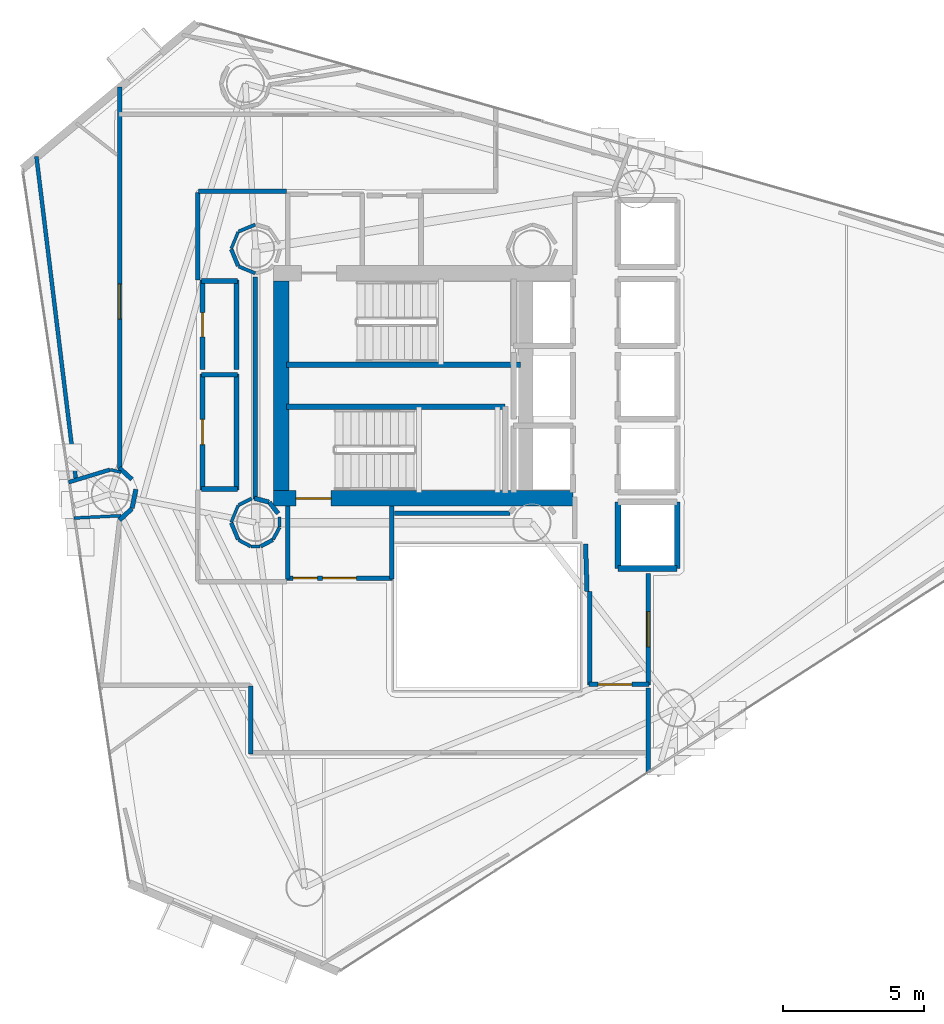
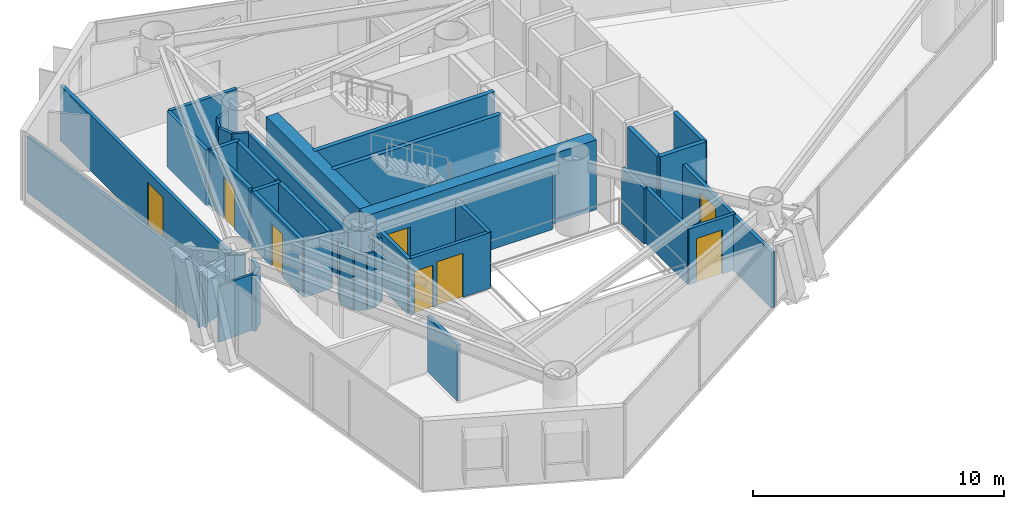
# One storey, part 18 of 22: 49 walls, 8 doors, 8 openings.
"""IFC4 building model written with IfcOpenShell, lengths in metres."""

from ifc_helpers import new_model, si_unit, direction, frame, frame_2d, origin, place, context, subcontext, project, spatial, rectangle, extrude, material, layer, layer_set, type_object, element, fill, save


model = new_model("IFC4")

# Units and contexts
model_context = context("Model", 3, precision=1e-05, world=origin(), true_north=direction((0.0, 1.0)))
body_context = subcontext(model_context, "Body", "Model", "MODEL_VIEW")
ifc_project = project(units=[si_unit("LENGTHUNIT", "METRE"), si_unit("AREAUNIT", "SQUARE_METRE"), si_unit("VOLUMEUNIT", "CUBIC_METRE"), si_unit("PLANEANGLEUNIT", "RADIAN"), si_unit("MASSUNIT", "GRAM", prefix="KILO")], contexts=[model_context])

# Site, building, storey
site_placement = place(None, origin())
site = spatial("IfcSite", under=ifc_project, at=site_placement, CompositionType="ELEMENT")
building_placement = place(site_placement, origin())
building = spatial("IfcBuilding", under=site, at=building_placement, Name="Qianvela Tower", CompositionType="ELEMENT")
storey_placement = place(building_placement, frame((0.0, 0.0, 180.89990234375)))
storey = spatial("IfcBuildingStorey", under=building, at=storey_placement, Name="L46", CompositionType="ELEMENT", Elevation=180.89990234375)

# Wall, opening, door
ifc_material_1 = material(Name="Concrete C60", Category="concrete")
ifc_layer_1 = layer(ifc_material_1, 0.550048828125)
ifc_layer_set_1 = layer_set([ifc_layer_1], Name="Concrete C60")
wall_type_1 = type_object("IfcWallType", Name="WT-CORE-550", PredefinedType="SHEAR", material=ifc_layer_set_1)
wall_1_placement = place(storey_placement, frame((29.22998046875, 24.705078125, 0.0), z_axis=(0.0, 0.0, 1.0), x_axis=(1.0, 0.0, 0.0)))
wall_1 = element("IfcWall", 1, at=wall_1_placement, inside=storey, type_object=wall_type_1, Name="L46 South Core Shear Wall", PredefinedType="SHEAR", context=body_context, shape_type="SweptSolid", body=[
    extrude(rectangle(XDim=10.6201171875, YDim=0.550048828125, at=frame_2d((5.31005859375, 0.0))), origin(), (0.0, 0.0, 1.0), 3.400146484375),
])
opening_1_placement = place(wall_1_placement, frame((0.794921875, 0.0, 0.0)))
opening_1 = element("IfcOpeningElement", 2, at=opening_1_placement, cuts=wall_1, Name="Opening D-ST1", PredefinedType="OPENING", context=body_context, shape_type="SweptSolid", body=[
    extrude(rectangle(XDim=1.25, YDim=2.14990234375, at=frame_2d((0.625, 1.074951171875))), frame((0.0, 0.284912109375, 0.0), z_axis=(0.0, -1.0, 0.0), x_axis=(1.0, 0.0, 0.0)), (0.0, 0.0, 1.0), 0.570068359375),
])
ifc_material_2 = material(Name="Galvanised Fire Steel Q355B", Category="steel")
door_type_1 = type_object("IfcDoorType", Name="DT-STAIR-FD90", OperationType="NOTDEFINED", PredefinedType="DOOR", material=ifc_material_2)
door_1_placement = place(opening_1_placement, origin())
door_1 = element("IfcDoor", 3, at=door_1_placement, inside=storey, type_object=door_type_1, Name="L46 Stair ST-2 Exit Door", OperationType="SINGLE_SWING_RIGHT", OverallHeight=2.14990234375, OverallWidth=1.25, PredefinedType="DOOR", context=body_context, shape_type="SweptSolid", body=[
    extrude(rectangle(XDim=1.25, YDim=2.14990234375, at=frame_2d((0.625, 1.074951171875))), frame((0.0, 0.02490234375, 0.0), z_axis=(0.0, -1.0, 0.0), x_axis=(1.0, 0.0, 0.0)), (0.0, 0.0, 1.0), 0.050048828125),
])
fill(opening_1, door_1)

# Wall
wall_2_placement = place(storey_placement, frame((29.5048828125, 24.97998046875, 0.0), z_axis=(0.0, 0.0, 1.0), x_axis=(0.0, 1.0, 0.0)))
element("IfcWall", 4, at=wall_2_placement, inside=storey, type_object=wall_type_1, Name="L46 West Core Shear Wall", PredefinedType="SHEAR", context=body_context, shape_type="SweptSolid", body=[
    extrude(rectangle(XDim=7.43994140625, YDim=0.550048828125, at=frame_2d((3.719970703125, 0.0))), origin(), (0.0, 0.0, 1.0), 3.400146484375),
])

# Wall, openings, doors
ifc_material_3 = material(Name="Fire-Rated Gypsum and Concrete Block", Category="concrete")
ifc_layer_2 = layer(ifc_material_3, 0.159912109375)
ifc_layer_set_2 = layer_set([ifc_layer_2], Name="Fire-Rated Gypsum and Concrete Block")
wall_type_2 = type_object("IfcWallType", Name="WT-CORR-160", PredefinedType="PARTITIONING", material=ifc_layer_set_2)
wall_3_placement = place(storey_placement, frame((33.449951171875, 21.881103515625, 0.0), z_axis=(0.0, 0.0, 1.0), x_axis=(-1.0, 0.0, 0.0)))
wall_3 = element("IfcWall", 5, at=wall_3_placement, inside=storey, type_object=wall_type_2, Name="L46 Partition 5", PredefinedType="PARTITIONING", context=body_context, shape_type="SweptSolid", body=[
    extrude(rectangle(XDim=3.75, YDim=0.159912109375, at=frame_2d((1.875, 0.0))), origin(), (0.0, 0.0, 1.0), 2.72021484375),
])
opening_2_placement = place(wall_3_placement, frame((1.27490234375, 0.0, 0.0)))
opening_2 = element("IfcOpeningElement", 6, at=opening_2_placement, cuts=wall_3, Name="Opening D-LB1", PredefinedType="OPENING", context=body_context, shape_type="SweptSolid", body=[
    extrude(rectangle(XDim=1.199951171875, YDim=2.14990234375, at=frame_2d((0.60009765625, 1.074951171875))), frame((0.0, 0.08984375, 0.0), z_axis=(0.0, -1.0, 0.0), x_axis=(1.0, 0.0, 0.0)), (0.0, 0.0, 1.0), 0.179931640625),
])
opening_3_placement = place(wall_3_placement, frame((2.659912109375, 0.0, 0.0)))
opening_3 = element("IfcOpeningElement", 7, at=opening_3_placement, cuts=wall_3, Name="Opening D-LB2", PredefinedType="OPENING", context=body_context, shape_type="SweptSolid", body=[
    extrude(rectangle(XDim=0.860107421875, YDim=2.050048828125, at=frame_2d((0.43017578125, 1.02490234375))), frame((0.0, 0.08984375, 0.0), z_axis=(0.0, -1.0, 0.0), x_axis=(1.0, 0.0, 0.0)), (0.0, 0.0, 1.0), 0.179931640625),
])
ifc_material_4 = material(Name="Glazed Fire-Rated Steel Frame", Category="steel")
door_type_2 = type_object("IfcDoorType", Name="DT-LOBBY-FD90", OperationType="NOTDEFINED", PredefinedType="DOOR", material=ifc_material_4)
door_2_placement = place(opening_2_placement, origin())
door_2 = element("IfcDoor", 8, at=door_2_placement, inside=storey, type_object=door_type_2, Name="L46 Door L46 Firefighting Lobby South to L46 Floor Corridor", OperationType="SINGLE_SWING_LEFT", OverallHeight=2.14990234375, OverallWidth=1.199951171875, PredefinedType="DOOR", context=body_context, shape_type="SweptSolid", body=[
    extrude(rectangle(XDim=1.199951171875, YDim=2.14990234375, at=frame_2d((0.60009765625, 1.074951171875))), frame((0.0, 0.02490234375, 0.0), z_axis=(0.0, -1.0, 0.0), x_axis=(1.0, 0.0, 0.0)), (0.0, 0.0, 1.0), 0.050048828125),
])
fill(opening_2, door_2)
ifc_material_5 = material(Name="Insulated Steel Fire Door Q355B", Category="steel")
door_type_3 = type_object("IfcDoorType", Name="DT-LOBBY-FD90-860", OperationType="NOTDEFINED", PredefinedType="DOOR", material=ifc_material_5)
door_3_placement = place(opening_3_placement, origin())
door_3 = element("IfcDoor", 9, at=door_3_placement, inside=storey, type_object=door_type_3, Name="L46 Door L46 Firefighting Lobby South to L46 Floor Corridor", OperationType="SINGLE_SWING_LEFT", OverallHeight=2.050048828125, OverallWidth=0.860107421875, PredefinedType="DOOR", context=body_context, shape_type="SweptSolid", body=[
    extrude(rectangle(XDim=0.860107421875, YDim=2.050048828125, at=frame_2d((0.43017578125, 1.02490234375))), frame((0.0, 0.02490234375, 0.0), z_axis=(0.0, -1.0, 0.0), x_axis=(1.0, 0.0, 0.0)), (0.0, 0.0, 1.0), 0.050048828125),
])
fill(opening_3, door_3)

# Walls
for number, where, z_axis, x_axis, name in (
    (10, (29.73095703125, 21.85009765625, 0.0), (0.0, 0.0, 1.0), (0.0, 1.0, 0.0), "L46 Partition 6"),
    (11, (33.4189453125, 24.44189453125, 0.0), (0.0, 0.0, 1.0), (0.0, -1.0, 0.0), "L46 Partition 8"),
):
    element("IfcWall", number, at=place(storey_placement, frame(where, z_axis=z_axis, x_axis=x_axis)), inside=storey, type_object=wall_type_2, Name=name, PredefinedType="PARTITIONING", context=body_context, shape_type="SweptSolid", body=[
        extrude(rectangle(XDim=2.591796875, YDim=0.159912109375, at=frame_2d((1.2958984375, 0.0))), origin(), (0.0, 0.0, 1.0), 2.72021484375),
    ])
wall_4_placement = place(storey_placement, frame((40.35107421875, 21.40087890625, 0.0), z_axis=(0.0, 0.0, 1.0), x_axis=(-0.031058045979, 0.999517582527, 0.0)))
element("IfcWall", 12, at=wall_4_placement, inside=storey, type_object=wall_type_2, Name="L46 Partition 9", PredefinedType="PARTITIONING", context=body_context, shape_type="SweptSolid", body=[
    extrude(rectangle(XDim=1.68212890625, YDim=0.159912109375, at=frame_2d((0.841064453125, 0.0))), origin(), (0.0, 0.0, 1.0), 2.72021484375),
])

# Wall, opening, door
wall_5_placement = place(storey_placement, frame((42.51904296875, 22.050048828125, 0.0), z_axis=(0.0, 0.0, 1.0), x_axis=(0.0, -1.0, 0.0)))
wall_5 = element("IfcWall", 13, at=wall_5_placement, inside=storey, type_object=wall_type_2, Name="L46 Partition 17", PredefinedType="PARTITIONING", context=body_context, shape_type="SweptSolid", body=[
    extrude(rectangle(XDim=3.969970703125, YDim=0.159912109375, at=frame_2d((1.98486328125, 0.0))), origin(), (0.0, 0.0, 1.0), 2.72021484375),
])
opening_4_placement = place(wall_5_placement, frame((1.360107421875, 0.0, 0.0)))
opening_4 = element("IfcOpeningElement", 14, at=opening_4_placement, cuts=wall_5, Name="Opening D-LG1", PredefinedType="OPENING", context=body_context, shape_type="SweptSolid", body=[
    extrude(rectangle(XDim=1.25, YDim=2.199951171875, at=frame_2d((0.625, 1.10009765625))), frame((0.0, 0.08984375, 0.0), z_axis=(0.0, -1.0, 0.0), x_axis=(1.0, 0.0, 0.0)), (0.0, 0.0, 1.0), 0.179931640625),
])
ifc_material_6 = material(Name="Anodised Aluminium Acoustic Glass Door", Category="aluminium")
door_type_4 = type_object("IfcDoorType", Name="DT-LOUNGE-1250", OperationType="NOTDEFINED", PredefinedType="DOOR", material=ifc_material_6)
door_4_placement = place(opening_4_placement, origin())
door_4 = element("IfcDoor", 15, at=door_4_placement, inside=storey, type_object=door_type_4, Name="L46 Door Media Practice Cinema L46-02 to L46 Lift Lobby", OperationType="SINGLE_SWING_LEFT", OverallHeight=2.199951171875, OverallWidth=1.25, PredefinedType="DOOR", context=body_context, shape_type="SweptSolid", body=[
    extrude(rectangle(XDim=1.25, YDim=2.199951171875, at=frame_2d((0.625, 1.10009765625))), frame((0.0, 0.02490234375, 0.0), z_axis=(0.0, -1.0, 0.0), x_axis=(1.0, 0.0, 0.0)), (0.0, 0.0, 1.0), 0.050048828125),
])
fill(opening_4, door_4)

wall_6_placement = place(storey_placement, frame((42.550048828125, 18.111083984375, 0.0), z_axis=(0.0, 0.0, 1.0), x_axis=(-1.0, 0.0, 0.0)))
wall_6 = element("IfcWall", 16, at=wall_6_placement, inside=storey, type_object=wall_type_2, Name="L46 Partition 18", PredefinedType="PARTITIONING", context=body_context, shape_type="SweptSolid", body=[
    extrude(rectangle(XDim=2.130126953125, YDim=0.159912109375, at=frame_2d((1.06494140625, 0.0))), origin(), (0.0, 0.0, 1.0), 2.72021484375),
])
opening_5_placement = place(wall_6_placement, frame((0.60498046875, 0.0, 0.0)))
opening_5 = element("IfcOpeningElement", 17, at=opening_5_placement, cuts=wall_6, Name="Opening D-LB1", PredefinedType="OPENING", context=body_context, shape_type="SweptSolid", body=[
    extrude(rectangle(XDim=1.199951171875, YDim=2.14990234375, at=frame_2d((0.60009765625, 1.074951171875))), frame((0.0, 0.08984375, 0.0), z_axis=(0.0, -1.0, 0.0), x_axis=(1.0, 0.0, 0.0)), (0.0, 0.0, 1.0), 0.179931640625),
])
door_5_placement = place(opening_5_placement, origin())
door_5 = element("IfcDoor", 18, at=door_5_placement, inside=storey, type_object=door_type_2, Name="L46 Door L46 Lift Lobby to L46 Floor Corridor", OperationType="SINGLE_SWING_RIGHT", OverallHeight=2.14990234375, OverallWidth=1.199951171875, PredefinedType="DOOR", context=body_context, shape_type="SweptSolid", body=[
    extrude(rectangle(XDim=1.199951171875, YDim=2.14990234375, at=frame_2d((0.60009765625, 1.074951171875))), frame((0.0, 0.02490234375, 0.0), z_axis=(0.0, -1.0, 0.0), x_axis=(1.0, 0.0, 0.0)), (0.0, 0.0, 1.0), 0.050048828125),
])
fill(opening_5, door_5)

# Walls
wall_7_placement = place(storey_placement, frame((40.450927734375, 18.080078125, 0.0), z_axis=(0.0, 0.0, 1.0), x_axis=(0.0, 1.0, 0.0)))
element("IfcWall", 19, at=wall_7_placement, inside=storey, type_object=wall_type_2, Name="L46 Partition 19 seg 1", PredefinedType="PARTITIONING", context=body_context, shape_type="SweptSolid", body=[
    extrude(rectangle(XDim=3.31982421875, YDim=0.159912109375, at=frame_2d((1.659912109375, 0.0))), origin(), (0.0, 0.0, 1.0), 2.72021484375),
])
wall_8_placement = place(storey_placement, frame((29.401611328125, 24.169189453125, 0.0), z_axis=(0.0, 0.0, 1.0), x_axis=(-0.622091855036, 0.782944266151, 0.0)))
element("IfcWall", 20, at=wall_8_placement, inside=storey, type_object=wall_type_2, Name="L46 Partition 36", PredefinedType="PARTITIONING", context=body_context, shape_type="SweptSolid", body=[
    extrude(rectangle(XDim=0.50390625, YDim=0.159912109375, at=frame_2d((0.251953125, 0.0))), origin(), (0.0, 0.0, 1.0), 2.72021484375),
])
wall_9_placement = place(storey_placement, frame((29.07177734375, 24.57421875, 0.0), z_axis=(0.0, 0.0, 1.0), x_axis=(-0.966842101769, 0.255374920942, 0.0)))
element("IfcWall", 21, at=wall_9_placement, inside=storey, type_object=wall_type_2, Name="L46 Partition 37", PredefinedType="PARTITIONING", context=body_context, shape_type="SweptSolid", body=[
    extrude(rectangle(XDim=0.531494140625, YDim=0.159912109375, at=frame_2d((0.265625, 0.0))), origin(), (0.0, 0.0, 1.0), 2.72021484375),
])
wall_10_placement = place(storey_placement, frame((28.5810546875, 24.68017578125, 0.0), z_axis=(0.0, 0.0, 1.0), x_axis=(0.0, 1.0, 0.0)))
element("IfcWall", 22, at=wall_10_placement, inside=storey, type_object=wall_type_2, Name="L46 Partition 38", PredefinedType="PARTITIONING", context=body_context, shape_type="SweptSolid", body=[
    extrude(rectangle(XDim=7.869873046875, YDim=0.159912109375, at=frame_2d((3.93505859375, 0.0))), origin(), (0.0, 0.0, 1.0), 2.72021484375),
])
wall_11_placement = place(storey_placement, frame((37.62255859375, 24.180908203125, 0.0), z_axis=(0.0, 0.0, 1.0), x_axis=(-1.0, 0.0, 0.0)))
element("IfcWall", 23, at=wall_11_placement, inside=storey, type_object=wall_type_2, Name="L46 Partition 47", PredefinedType="PARTITIONING", context=body_context, shape_type="SweptSolid", body=[
    extrude(rectangle(XDim=4.092529296875, YDim=0.159912109375, at=frame_2d((2.04638671875, 0.0))), origin(), (0.0, 0.0, 1.0), 2.72021484375),
])
wall_12_placement = place(storey_placement, frame((24.211181640625, 25.37890625, 0.0), z_axis=(0.0, 0.0, 1.0), x_axis=(-0.735475561179, 0.677551251868, 0.0)))
element("IfcWall", 24, at=wall_12_placement, inside=storey, type_object=wall_type_2, Name="L46 Partition 48", PredefinedType="PARTITIONING", context=body_context, shape_type="SweptSolid", body=[
    extrude(rectangle(XDim=0.598388671875, YDim=0.159912109375, at=frame_2d((0.29931640625, 0.0))), origin(), (0.0, 0.0, 1.0), 2.72021484375),
])

# Wall, opening, door
wall_13_placement = place(storey_placement, frame((23.781005859375, 25.76171875, 0.0), z_axis=(0.0, 0.0, 1.0), x_axis=(0.0, 1.0, 0.0)))
wall_13 = element("IfcWall", 25, at=wall_13_placement, inside=storey, type_object=wall_type_2, Name="L46 Partition 49", PredefinedType="PARTITIONING", context=body_context, shape_type="SweptSolid", body=[
    extrude(rectangle(XDim=13.531005859375, YDim=0.159912109375, at=frame_2d((6.765625, 0.0))), origin(), (0.0, 0.0, 1.0), 2.72021484375),
])
opening_6_placement = place(wall_13_placement, frame((5.302490234375, 0.0, 0.0)))
opening_6 = element("IfcOpeningElement", 26, at=opening_6_placement, cuts=wall_13, Name="Opening D-LG1", PredefinedType="OPENING", context=body_context, shape_type="SweptSolid", body=[
    extrude(rectangle(XDim=1.25, YDim=2.199951171875, at=frame_2d((0.625, 1.10009765625))), frame((0.0, 0.08984375, 0.0), z_axis=(0.0, -1.0, 0.0), x_axis=(1.0, 0.0, 0.0)), (0.0, 0.0, 1.0), 0.179931640625),
])
door_6_placement = place(opening_6_placement, origin())
door_6 = element("IfcDoor", 27, at=door_6_placement, inside=storey, type_object=door_type_4, Name="L46 Door Student Bookshop Market L46-06 to L46 Floor Corridor", OperationType="SINGLE_SWING_LEFT", OverallHeight=2.199951171875, OverallWidth=1.25, PredefinedType="DOOR", context=body_context, shape_type="SweptSolid", body=[
    extrude(rectangle(XDim=1.25, YDim=2.199951171875, at=frame_2d((0.625, 1.10009765625))), frame((0.0, 0.02490234375, 0.0), z_axis=(0.0, -1.0, 0.0), x_axis=(1.0, 0.0, 0.0)), (0.0, 0.0, 1.0), 0.050048828125),
])
fill(opening_6, door_6)

# Walls
wall_14_placement = place(storey_placement, frame((29.699951171875, 35.591064453125, 0.0), z_axis=(0.0, 0.0, 1.0), x_axis=(-1.0, 0.0, 0.0)))
element("IfcWall", 28, at=wall_14_placement, inside=storey, type_object=wall_type_2, Name="L46 Partition 53 seg 3", PredefinedType="PARTITIONING", context=body_context, shape_type="SweptSolid", body=[
    extrude(rectangle(XDim=3.119873046875, YDim=0.159912109375, at=frame_2d((1.56005859375, 0.0))), origin(), (0.0, 0.0, 1.0), 2.72021484375),
])
wall_15_placement = place(storey_placement, frame((26.549072265625, 35.56005859375, 0.0), z_axis=(0.0, 0.0, 1.0), x_axis=(0.0, -1.0, 0.0)))
element("IfcWall", 29, at=wall_15_placement, inside=storey, type_object=wall_type_2, Name="L46 Partition 54 seg 1", PredefinedType="PARTITIONING", context=body_context, shape_type="SweptSolid", body=[
    extrude(rectangle(XDim=3.110107421875, YDim=0.159912109375, at=frame_2d((1.55517578125, 0.0))), origin(), (0.0, 0.0, 1.0), 2.72021484375),
])
wall_16_placement = place(storey_placement, frame((42.51904296875, 17.97998046875, 0.0), z_axis=(0.0, 0.0, 1.0), x_axis=(0.0, -1.0, 0.0)))
element("IfcWall", 30, at=wall_16_placement, inside=storey, type_object=wall_type_2, Name="L46 Partition 57 seg 1", PredefinedType="PARTITIONING", context=body_context, shape_type="SweptSolid", body=[
    extrude(rectangle(XDim=3.001953125, YDim=0.159912109375, at=frame_2d((1.5009765625, 0.0))), origin(), (0.0, 0.0, 1.0), 2.72021484375),
])
wall_17_placement = place(storey_placement, frame((28.430908203125, 15.64990234375, 0.0), z_axis=(0.0, 0.0, 1.0), x_axis=(0.0, 1.0, 0.0)))
element("IfcWall", 31, at=wall_17_placement, inside=storey, type_object=wall_type_2, Name="L46 Partition 59", PredefinedType="PARTITIONING", context=body_context, shape_type="SweptSolid", body=[
    extrude(rectangle(XDim=2.400146484375, YDim=0.159912109375, at=frame_2d((1.2001953125, 0.0))), origin(), (0.0, 0.0, 1.0), 2.72021484375),
])
wall_18_placement = place(storey_placement, frame((23.77099609375, 23.93359375, 0.0), z_axis=(0.0, 0.0, 1.0), x_axis=(0.735475561179, 0.677551251868, 0.0)))
element("IfcWall", 32, at=wall_18_placement, inside=storey, type_object=wall_type_2, Name="L46 Partition 62", PredefinedType="PARTITIONING", context=body_context, shape_type="SweptSolid", body=[
    extrude(rectangle(XDim=0.598388671875, YDim=0.159912109375, at=frame_2d((0.29931640625, 0.0))), origin(), (0.0, 0.0, 1.0), 2.72021484375),
])
wall_19_placement = place(storey_placement, frame((24.220703125, 24.355712890625, 0.0), z_axis=(0.0, 0.0, 1.0), x_axis=(0.19495084259, 0.980813014276, 0.0)))
element("IfcWall", 33, at=wall_19_placement, inside=storey, type_object=wall_type_2, Name="L46 Partition 63", PredefinedType="PARTITIONING", context=body_context, shape_type="SweptSolid", body=[
    extrude(rectangle(XDim=0.68505859375, YDim=0.159912109375, at=frame_2d((0.342529296875, 0.0))), origin(), (0.0, 0.0, 1.0), 2.72021484375),
])
ifc_material_7 = material(Name="Lightweight Gypsum Room Partition")
ifc_layer_3 = layer(ifc_material_7, 0.10498046875)
ifc_layer_set_3 = layer_set([ifc_layer_3], Name="Lightweight Gypsum Room Partition")
wall_type_3 = type_object("IfcWallType", Name="WT-PART-105", PredefinedType="PARTITIONING", material=ifc_layer_set_3)
wall_20_placement = place(storey_placement, frame((27.98095703125, 34.15234375, 0.0), z_axis=(0.0, 0.0, 1.0), x_axis=(-0.382824178437, -0.923821221018, 0.0)))
element("IfcWall", 34, at=wall_20_placement, inside=storey, type_object=wall_type_3, Name="L46 Partition 126", PredefinedType="PARTITIONING", context=body_context, shape_type="SweptSolid", body=[
    extrude(rectangle(XDim=0.638916015625, YDim=0.10498046875, at=frame_2d((0.3193359375, 0.0))), origin(), (0.0, 0.0, 1.0), 2.72021484375),
])
wall_21_placement = place(storey_placement, frame((27.98095703125, 24.452392578125, 0.0), z_axis=(0.0, 0.0, 1.0), x_axis=(-0.38268910224, -0.923877183952, 0.0)))
element("IfcWall", 35, at=wall_21_placement, inside=storey, type_object=wall_type_3, Name="L46 Partition 135", PredefinedType="PARTITIONING", context=body_context, shape_type="SweptSolid", body=[
    extrude(rectangle(XDim=0.63916015625, YDim=0.10498046875, at=frame_2d((0.319580078125, 0.0))), origin(), (0.0, 0.0, 1.0), 2.72021484375),
])
wall_22_placement = place(storey_placement, frame((28.43701171875, 23.0, 0.0), z_axis=(0.0, 0.0, 1.0), x_axis=(1.0, 0.0, 0.0)))
element("IfcWall", 36, at=wall_22_placement, inside=storey, type_object=wall_type_3, Name="L46 Partition 138", PredefinedType="PARTITIONING", context=body_context, shape_type="SweptSolid", body=[
    extrude(rectangle(XDim=0.325927734375, YDim=0.10498046875, at=frame_2d((0.1630859375, 0.0))), origin(), (0.0, 0.0, 1.0), 2.72021484375),
])
wall_23_placement = place(storey_placement, frame((29.449951171875, 23.68798828125, 0.0), z_axis=(0.0, 0.0, 1.0), x_axis=(-0.030919976938, 0.999521863206, 0.0)))
element("IfcWall", 37, at=wall_23_placement, inside=storey, type_object=wall_type_3, Name="L46 Partition 141", PredefinedType="PARTITIONING", context=body_context, shape_type="SweptSolid", body=[
    extrude(rectangle(XDim=0.36328125, YDim=0.10498046875, at=frame_2d((0.181640625, 0.0))), origin(), (0.0, 0.0, 1.0), 2.72021484375),
])
wall_24_placement = place(storey_placement, frame((23.82666015625, 25.6318359375, 0.0), z_axis=(0.0, 0.0, 1.0), x_axis=(-0.970774083864, 0.239995162656, 0.0)))
element("IfcWall", 38, at=wall_24_placement, inside=storey, type_object=wall_type_3, Name="L46 Partition 147", PredefinedType="PARTITIONING", context=body_context, shape_type="SweptSolid", body=[
    extrude(rectangle(XDim=0.384521484375, YDim=0.10498046875, at=frame_2d((0.1923828125, 0.0))), origin(), (0.0, 0.0, 1.0), 2.72021484375),
])
wall_25_placement = place(storey_placement, frame((22.161376953125, 24.008056640625, 0.0), z_axis=(0.0, 0.0, 1.0), x_axis=(0.998741040338, 0.050163077511, 0.0)))
element("IfcWall", 39, at=wall_25_placement, inside=storey, type_object=wall_type_3, Name="L46 Partition 153", PredefinedType="PARTITIONING", context=body_context, shape_type="SweptSolid", body=[
    extrude(rectangle(XDim=1.67431640625, YDim=0.10498046875, at=frame_2d((0.837158203125, 0.0))), origin(), (0.0, 0.0, 1.0), 2.72021484375),
])
ifc_material_8 = material(Name="Insulated Gypsum Stud Partition")
ifc_layer_4 = layer(ifc_material_8, 0.1201171875)
ifc_layer_set_4 = layer_set([ifc_layer_4], Name="Insulated Gypsum Stud Partition")
wall_type_4 = type_object("IfcWallType", Name="WT-PART-120", PredefinedType="PARTITIONING", material=ifc_layer_set_4)
for number, where, z_axis, x_axis, name in (
    (40, (28.588134765625, 34.41357421875, 0.0), (0.0, 0.0, 1.0), (-0.923956302996, -0.382498039412, 0.0), "L46 Partition 125"),
    (41, (27.997802734375, 32.930908203125, 0.0), (0.0, 0.0, 1.0), (0.923821221018, -0.382824178437, 0.0), "L46 Partition 128"),
):
    element("IfcWall", number, at=place(storey_placement, frame(where, z_axis=z_axis, x_axis=x_axis)), inside=storey, type_object=wall_type_4, Name=name, PredefinedType="PARTITIONING", context=body_context, shape_type="SweptSolid", body=[
        extrude(rectangle(XDim=0.638916015625, YDim=0.1201171875, at=frame_2d((0.3193359375, 0.0))), origin(), (0.0, 0.0, 1.0), 2.72021484375),
    ])
wall_26_placement = place(storey_placement, frame((28.465576171875, 24.700927734375, 0.0), z_axis=(0.0, 0.0, 1.0), x_axis=(-0.896097594631, -0.4438570726, 0.0)))
element("IfcWall", 42, at=wall_26_placement, inside=storey, type_object=wall_type_4, Name="L46 Partition 134", PredefinedType="PARTITIONING", context=body_context, shape_type="SweptSolid", body=[
    extrude(rectangle(XDim=0.524169921875, YDim=0.1201171875, at=frame_2d((0.26220703125, 0.0))), origin(), (0.0, 0.0, 1.0), 2.72021484375),
])
for number, where, z_axis, x_axis, name in (
    (43, (27.9951171875, 23.232177734375, 0.0), (0.0, 0.0, 1.0), (0.88190639713, -0.471424550379, 0.0), "L46 Partition 137"),
    (44, (29.2177734375, 23.2451171875, 0.0), (0.0, 0.0, 1.0), (0.471424550379, 0.88190639713, 0.0), "L46 Partition 140"),
):
    element("IfcWall", number, at=place(storey_placement, frame(where, z_axis=z_axis, x_axis=x_axis)), inside=storey, type_object=wall_type_4, Name=name, PredefinedType="PARTITIONING", context=body_context, shape_type="SweptSolid", body=[
        extrude(rectangle(XDim=0.484619140625, YDim=0.1201171875, at=frame_2d((0.2421875, 0.0))), origin(), (0.0, 0.0, 1.0), 2.72021484375),
    ])

# Wall, opening, door
ifc_material_9 = material(Name="Moisture-Resistant Acoustic Plumbing Wall")
ifc_layer_5 = layer(ifc_material_9, 0.175048828125)
ifc_layer_set_5 = layer_set([ifc_layer_5], Name="Moisture-Resistant Acoustic Plumbing Wall")
wall_type_5 = type_object("IfcWallType", Name="WT-PLUMB-175", PredefinedType="PLUMBINGWALL", material=ifc_layer_set_5)
wall_27_placement = place(storey_placement, frame((26.7109375, 25.0, 0.0), z_axis=(0.0, 0.0, 1.0), x_axis=(0.0, 1.0, 0.0)))
wall_27 = element("IfcWall", 45, at=wall_27_placement, inside=storey, type_object=wall_type_5, Name="L46 Partition 24", PredefinedType="PLUMBINGWALL", context=body_context, shape_type="SweptSolid", body=[
    extrude(rectangle(XDim=4.1201171875, YDim=0.175048828125, at=frame_2d((2.06005859375, 0.0))), origin(), (0.0, 0.0, 1.0), 2.72021484375),
])
opening_7_placement = place(wall_27_placement, frame((1.610107421875, 0.0, 0.0)))
opening_7 = element("IfcOpeningElement", 46, at=opening_7_placement, cuts=wall_27, Name="Opening D-KT1", PredefinedType="OPENING", context=body_context, shape_type="SweptSolid", body=[
    extrude(rectangle(XDim=0.89990234375, YDim=2.10009765625, at=frame_2d((0.449951171875, 1.050048828125))), frame((0.0, 0.097412109375, 0.0), z_axis=(0.0, -1.0, 0.0), x_axis=(1.0, 0.0, 0.0)), (0.0, 0.0, 1.0), 0.195068359375),
])
ifc_material_10 = material(Name="Glazed Timber Kitchen Door", Category="wood")
door_type_5 = type_object("IfcDoorType", Name="DT-KITCH-900", OperationType="NOTDEFINED", PredefinedType="DOOR", material=ifc_material_10)
door_7_placement = place(opening_7_placement, origin())
door_7 = element("IfcDoor", 47, at=door_7_placement, inside=storey, type_object=door_type_5, Name="L46 Door L46 Core Tea Pantry West to L46 Floor Corridor", OperationType="SINGLE_SWING_RIGHT", OverallHeight=2.10009765625, OverallWidth=0.89990234375, PredefinedType="DOOR", context=body_context, shape_type="SweptSolid", body=[
    extrude(rectangle(XDim=0.89990234375, YDim=2.10009765625, at=frame_2d((0.449951171875, 1.050048828125))), frame((0.0, 0.02490234375, 0.0), z_axis=(0.0, -1.0, 0.0), x_axis=(1.0, 0.0, 0.0)), (0.0, 0.0, 1.0), 0.050048828125),
])
fill(opening_7, door_7)

# Walls
wall_28_placement = place(storey_placement, frame((26.679931640625, 29.089111328125, 0.0), z_axis=(0.0, 0.0, 1.0), x_axis=(1.0, 0.0, 0.0)))
element("IfcWall", 48, at=wall_28_placement, inside=storey, type_object=wall_type_5, Name="L46 Partition 25", PredefinedType="PLUMBINGWALL", context=body_context, shape_type="SweptSolid", body=[
    extrude(rectangle(XDim=1.27001953125, YDim=0.175048828125, at=frame_2d((0.635009765625, 0.0))), origin(), (0.0, 0.0, 1.0), 2.72021484375),
])
wall_29_placement = place(storey_placement, frame((27.9189453125, 29.1201171875, 0.0), z_axis=(0.0, 0.0, 1.0), x_axis=(0.0, -1.0, 0.0)))
element("IfcWall", 49, at=wall_29_placement, inside=storey, type_object=wall_type_5, Name="L46 Partition 26", PredefinedType="PLUMBINGWALL", context=body_context, shape_type="SweptSolid", body=[
    extrude(rectangle(XDim=4.1201171875, YDim=0.175048828125, at=frame_2d((2.06005859375, 0.0))), origin(), (0.0, 0.0, 1.0), 2.72021484375),
])
wall_30_placement = place(storey_placement, frame((27.949951171875, 25.031005859375, 0.0), z_axis=(0.0, 0.0, 1.0), x_axis=(-1.0, 0.0, 0.0)))
element("IfcWall", 50, at=wall_30_placement, inside=storey, type_object=wall_type_5, Name="L46 Partition 27", PredefinedType="PLUMBINGWALL", context=body_context, shape_type="SweptSolid", body=[
    extrude(rectangle(XDim=1.27001953125, YDim=0.175048828125, at=frame_2d((0.635009765625, 0.0))), origin(), (0.0, 0.0, 1.0), 2.72021484375),
])

# Wall, opening, door
wall_31_placement = place(storey_placement, frame((26.7109375, 29.280029296875, 0.0), z_axis=(0.0, 0.0, 1.0), x_axis=(0.0, 1.0, 0.0)))
wall_31 = element("IfcWall", 51, at=wall_31_placement, inside=storey, type_object=wall_type_5, Name="L46 Partition 28", PredefinedType="PLUMBINGWALL", context=body_context, shape_type="SweptSolid", body=[
    extrude(rectangle(XDim=3.169921875, YDim=0.175048828125, at=frame_2d((1.5849609375, 0.0))), origin(), (0.0, 0.0, 1.0), 2.72021484375),
])
opening_8_placement = place(wall_31_placement, frame((1.155029296875, 0.0, 0.0)))
opening_8 = element("IfcOpeningElement", 52, at=opening_8_placement, cuts=wall_31, Name="Opening D-WC1", PredefinedType="OPENING", context=body_context, shape_type="SweptSolid", body=[
    extrude(rectangle(XDim=0.860107421875, YDim=2.050048828125, at=frame_2d((0.43017578125, 1.02490234375))), frame((0.0, 0.097412109375, 0.0), z_axis=(0.0, -1.0, 0.0), x_axis=(1.0, 0.0, 0.0)), (0.0, 0.0, 1.0), 0.195068359375),
])
ifc_material_11 = material(Name="Moisture-Sealed Acoustic Timber Door", Category="wood")
door_type_6 = type_object("IfcDoorType", Name="DT-WC-860", OperationType="NOTDEFINED", PredefinedType="DOOR", material=ifc_material_11)
door_8_placement = place(opening_8_placement, origin())
door_8 = element("IfcDoor", 53, at=door_8_placement, inside=storey, type_object=door_type_6, Name="L46 Door L46 Accessible WC to L46 Floor Corridor", OperationType="SINGLE_SWING_LEFT", OverallHeight=2.050048828125, OverallWidth=0.860107421875, PredefinedType="DOOR", context=body_context, shape_type="SweptSolid", body=[
    extrude(rectangle(XDim=0.860107421875, YDim=2.050048828125, at=frame_2d((0.43017578125, 1.02490234375))), frame((0.0, 0.02490234375, 0.0), z_axis=(0.0, -1.0, 0.0), x_axis=(1.0, 0.0, 0.0)), (0.0, 0.0, 1.0), 0.050048828125),
])
fill(opening_8, door_8)

# Walls
wall_32_placement = place(storey_placement, frame((26.679931640625, 32.4189453125, 0.0), z_axis=(0.0, 0.0, 1.0), x_axis=(1.0, 0.0, 0.0)))
element("IfcWall", 54, at=wall_32_placement, inside=storey, type_object=wall_type_5, Name="L46 Partition 29", PredefinedType="PLUMBINGWALL", context=body_context, shape_type="SweptSolid", body=[
    extrude(rectangle(XDim=1.27001953125, YDim=0.175048828125, at=frame_2d((0.635009765625, 0.0))), origin(), (0.0, 0.0, 1.0), 2.72021484375),
])
wall_33_placement = place(storey_placement, frame((27.9189453125, 32.449951171875, 0.0), z_axis=(0.0, 0.0, 1.0), x_axis=(0.0, -1.0, 0.0)))
element("IfcWall", 55, at=wall_33_placement, inside=storey, type_object=wall_type_5, Name="L46 Partition 30", PredefinedType="PLUMBINGWALL", context=body_context, shape_type="SweptSolid", body=[
    extrude(rectangle(XDim=3.169921875, YDim=0.175048828125, at=frame_2d((1.5849609375, 0.0))), origin(), (0.0, 0.0, 1.0), 2.72021484375),
])
ifc_material_12 = material(Name="Acoustic Double Gypsum Stud Partition")
ifc_layer_6 = layer(ifc_material_12, 0.139892578125)
ifc_layer_set_6 = layer_set([ifc_layer_6], Name="Acoustic Double Gypsum Stud Partition")
wall_type_6 = type_object("IfcWallType", Name="WT-ROOM-140", PredefinedType="PARTITIONING", material=ifc_layer_set_6)
for number, where, z_axis, x_axis, name in (
    (56, (27.736328125, 33.5380859375, 0.0), (0.0, 0.0, 1.0), (0.382824178437, -0.923821221018, 0.0), "L46 Partition 127"),
    (57, (27.736328125, 23.838134765625, 0.0), (0.0, 0.0, 1.0), (0.382824178437, -0.923821221018, 0.0), "L46 Partition 136"),
):
    element("IfcWall", number, at=place(storey_placement, frame(where, z_axis=z_axis, x_axis=x_axis)), inside=storey, type_object=wall_type_6, Name=name, PredefinedType="PARTITIONING", context=body_context, shape_type="SweptSolid", body=[
        extrude(rectangle(XDim=0.638916015625, YDim=0.139892578125, at=frame_2d((0.3193359375, 0.0))), origin(), (0.0, 0.0, 1.0), 2.72021484375),
    ])
wall_34_placement = place(storey_placement, frame((28.777587890625, 23.003662109375, 0.0), z_axis=(0.0, 0.0, 1.0), x_axis=(0.88190639713, 0.471424550379, 0.0)))
element("IfcWall", 58, at=wall_34_placement, inside=storey, type_object=wall_type_6, Name="L46 Partition 139", PredefinedType="PARTITIONING", context=body_context, shape_type="SweptSolid", body=[
    extrude(rectangle(XDim=0.484619140625, YDim=0.139892578125, at=frame_2d((0.2421875, 0.0))), origin(), (0.0, 0.0, 1.0), 2.72021484375),
])
wall_35_placement = place(storey_placement, frame((23.43701171875, 25.7236328125, 0.0), z_axis=(0.0, 0.0, 1.0), x_axis=(-0.956913021146, -0.290374706133, 0.0)))
element("IfcWall", 59, at=wall_35_placement, inside=storey, type_object=wall_type_6, Name="L46 Partition 148", PredefinedType="PARTITIONING", context=body_context, shape_type="SweptSolid", body=[
    extrude(rectangle(XDim=1.531005859375, YDim=0.139892578125, at=frame_2d((0.765625, 0.0))), origin(), (0.0, 0.0, 1.0), 2.72021484375),
])
wall_36_placement = place(storey_placement, frame((22.2587890625, 25.11669921875, 0.0), z_axis=(0.0, 0.0, 1.0), x_axis=(-0.121339817711, 0.992611025849, 0.0)))
element("IfcWall", 60, at=wall_36_placement, inside=storey, type_object=wall_type_6, Name="L46 Partition 157 seg 1", PredefinedType="PARTITIONING", context=body_context, shape_type="SweptSolid", body=[
    extrude(rectangle(XDim=11.798583984375, YDim=0.139892578125, at=frame_2d((5.8994140625, 0.0))), origin(), (0.0, 0.0, 1.0), 2.72021484375),
])
ifc_material_13 = material(Name="Concrete C50", Category="concrete")
ifc_layer_7 = layer(ifc_material_13, 0.199951171875)
ifc_layer_set_7 = layer_set([ifc_layer_7], Name="Concrete C50")
wall_type_7 = type_object("IfcWallType", Name="WT-SHAFT-200", PredefinedType="SOLIDWALL", material=ifc_layer_set_7)
wall_37_placement = place(storey_placement, frame((29.699951171875, 29.449951171875, 0.0), z_axis=(0.0, 0.0, 1.0), x_axis=(1.0, 0.0, 0.0)))
element("IfcWall", 61, at=wall_37_placement, inside=storey, type_object=wall_type_7, Name="L46 Stair ST-1 South Wall", PredefinedType="SOLIDWALL", context=body_context, shape_type="SweptSolid", body=[
    extrude(rectangle(XDim=8.300048828125, YDim=0.199951171875, at=frame_2d((4.14990234375, 0.0))), origin(), (0.0, 0.0, 1.0), 3.400146484375),
])
wall_38_placement = place(storey_placement, frame((29.699951171875, 27.9599609375, 0.0), z_axis=(0.0, 0.0, 1.0), x_axis=(1.0, 0.0, 0.0)))
element("IfcWall", 62, at=wall_38_placement, inside=storey, type_object=wall_type_7, Name="L46 Stair ST-2 North Wall", PredefinedType="SOLIDWALL", context=body_context, shape_type="SweptSolid", body=[
    extrude(rectangle(XDim=7.75, YDim=0.199951171875, at=frame_2d((3.875, 0.0))), origin(), (0.0, 0.0, 1.0), 3.400146484375),
])
for number, where, z_axis, x_axis, name in (
    (63, (43.550048828125, 22.219970703125, 0.0), (0.0, 0.0, 1.0), (0.0, 1.0, 0.0), "L46 Lift PL-H2 E Shaft Wall"),
    (64, (41.449951171875, 22.219970703125, 0.0), (0.0, 0.0, 1.0), (0.0, 1.0, 0.0), "L46 Lift PL-H2 W Shaft Wall"),
):
    element("IfcWall", number, at=place(storey_placement, frame(where, z_axis=z_axis, x_axis=x_axis)), inside=storey, type_object=wall_type_7, Name=name, PredefinedType="SOLIDWALL", context=body_context, shape_type="SweptSolid", body=[
        extrude(rectangle(XDim=2.360107421875, YDim=0.199951171875, at=frame_2d((1.18017578125, 0.0))), origin(), (0.0, 0.0, 1.0), 3.400146484375),
    ])
wall_39_placement = place(storey_placement, frame((41.449951171875, 22.219970703125, 0.0), z_axis=(0.0, 0.0, 1.0), x_axis=(1.0, 0.0, 0.0)))
element("IfcWall", 65, at=wall_39_placement, inside=storey, type_object=wall_type_7, Name="L46 Lift PL-H2 S Shaft Wall", PredefinedType="SOLIDWALL", context=body_context, shape_type="SweptSolid", body=[
    extrude(rectangle(XDim=2.10009765625, YDim=0.199951171875, at=frame_2d((1.050048828125, 0.0))), origin(), (0.0, 0.0, 1.0), 3.400146484375),
])

save(model, "model.ifc")
